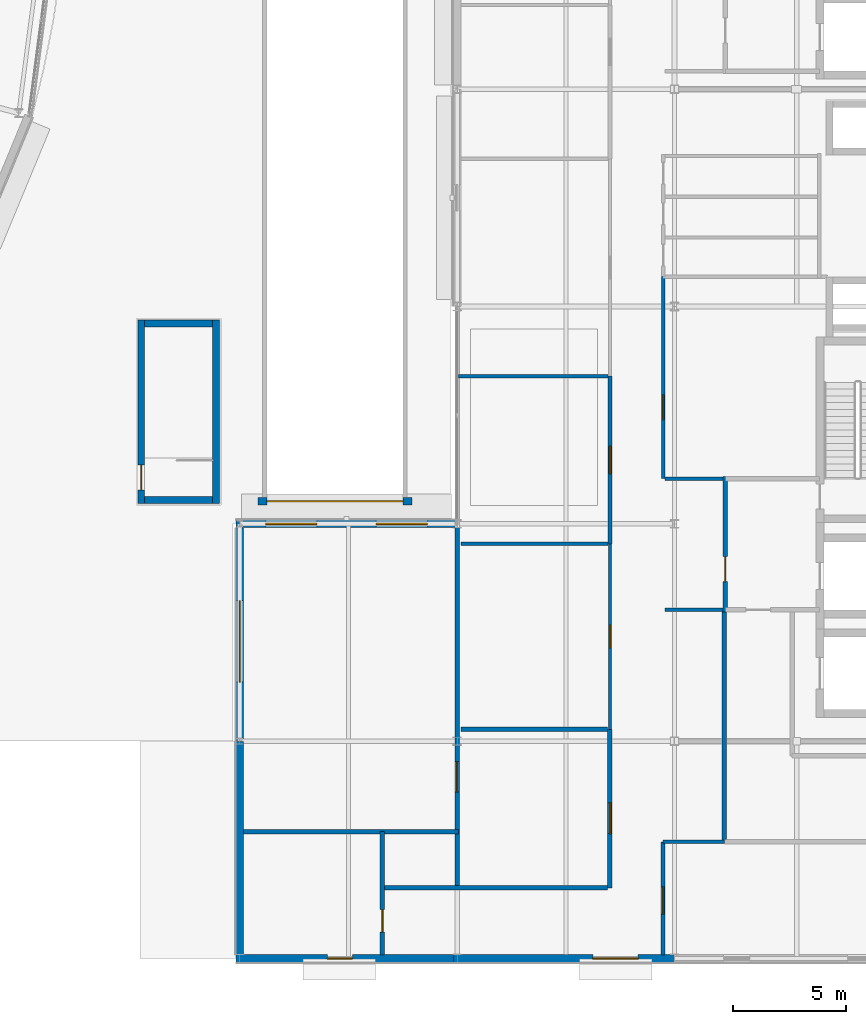
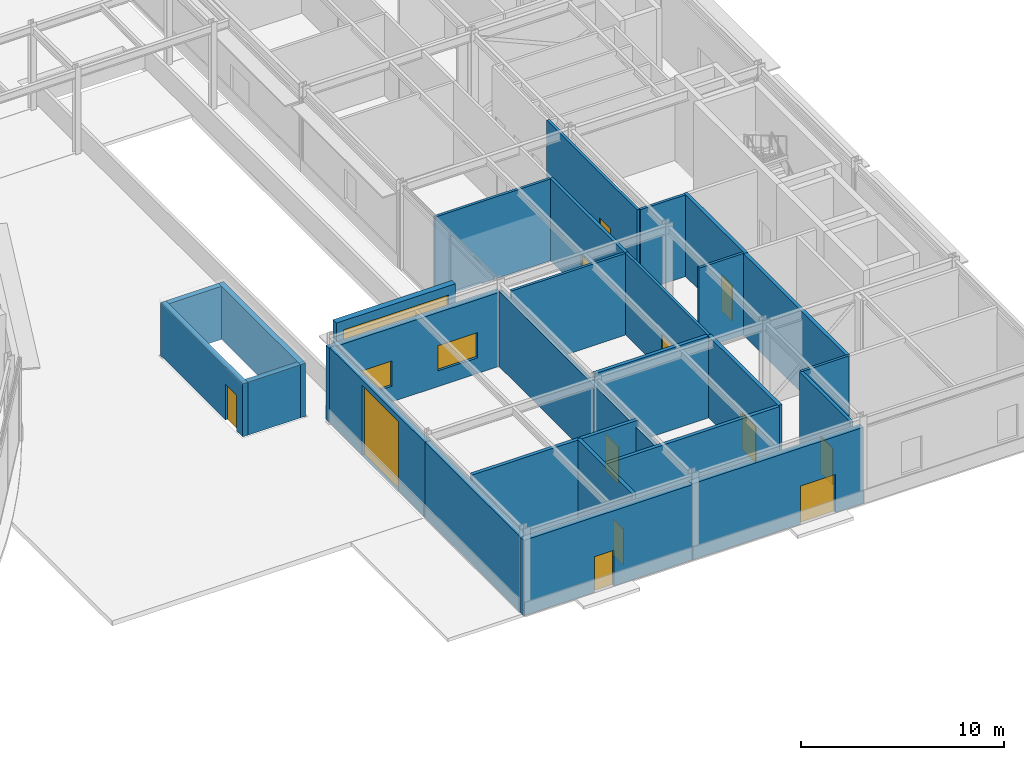
# One storey, part 127 of 168: 27 walls, 13 doors, 2 windows, 15 openings.
"""IFC4 building model written with IfcOpenShell, lengths in metres."""

import ifcopenshell
import ifcopenshell.guid

model = None  # the IFC model being written
_history = None  # IfcOwnerHistory: only IFC2X3 demands one
_inside = {}  # id of a spatial element -> (the spatial element, [elements in it])
_under = {}  # id of a project, library or spatial element -> (it, [spatial elements below it])
_declared = {}  # id of a project -> (the project, [libraries it declares])
_typed = {}  # id of a type object -> (the type object, [elements of that type])
_made_of = {}  # id of a material, layer set ... -> (it, [elements and type objects made of it])


def new_model(schema):
    """Start an empty IFC model of exactly this schema.

    Asked for "IFC4X3", IfcOpenShell would pick the latest addendum, in which some entities
    have other attributes; the version numbers below select the first issue.
    IFC2X3 requires an IfcOwnerHistory on every rooted entity: one is made here for all.
    """
    global model, _history
    if schema == "IFC4X3":
        model = ifcopenshell.file(schema_version=(4, 3, 0, 0))
    else:
        model = ifcopenshell.file(schema=schema)
    _inside.clear()
    _under.clear()
    _declared.clear()
    _typed.clear()
    _made_of.clear()
    _history = None
    if model.schema == "IFC2X3":
        org = make("IfcOrganization", Name="unknown")
        user = make(
            "IfcPersonAndOrganization",
            ThePerson=make("IfcPerson", FamilyName="unknown"),
            TheOrganization=org,
        )
        app = make(
            "IfcApplication",
            ApplicationDeveloper=org,
            Version="unknown",
            ApplicationFullName="unknown",
            ApplicationIdentifier="unknown",
        )
        _history = make(
            "IfcOwnerHistory",
            OwningUser=user,
            OwningApplication=app,
            ChangeAction="ADDED",
            CreationDate=0,
        )
    return model


def make(cls, **values):
    """One entity of the class cls with the attributes given. An attribute that is None is left unset."""
    return model.create_entity(
        cls, **{name: value for name, value in values.items() if value is not None}
    )


def rooted(cls, **values):
    """An entity with a GlobalId (a new one), such as an element, a storey or a relation."""
    return make(cls, GlobalId=ifcopenshell.guid.new(), OwnerHistory=_history, **values)


def si_unit(unit_type, name, prefix=None):
    """IfcSIUnit, for example si_unit("LENGTHUNIT", "METRE", prefix="MILLI")."""
    return make("IfcSIUnit", UnitType=unit_type, Prefix=prefix, Name=name)


def assignment(units):
    """IfcUnitAssignment: the units of a project."""
    return None if units is None else make("IfcUnitAssignment", Units=units)


def point(xyz):
    """IfcCartesianPoint."""
    return None if xyz is None else make("IfcCartesianPoint", Coordinates=xyz)


def direction(xyz):
    """IfcDirection."""
    return None if xyz is None else make("IfcDirection", DirectionRatios=xyz)


def frame(location, z_axis=None, x_axis=None):
    """IfcAxis2Placement3D, a coordinate frame: its origin and axes. An axis left out is left unset."""
    return make(
        "IfcAxis2Placement3D",
        Location=point(location),
        Axis=direction(z_axis),
        RefDirection=direction(x_axis),
    )


def frame_2d(location, x_axis=None):
    """IfcAxis2Placement2D, a coordinate frame in the plane: its origin and x axis."""
    return make(
        "IfcAxis2Placement2D", Location=point(location), RefDirection=direction(x_axis)
    )


def origin():
    """The frame at (0, 0, 0) with its axes left unset."""
    return frame((0.0, 0.0, 0.0))


def place(relative_to, where):
    """IfcLocalPlacement: puts the frame where relative to a parent placement (None: the world)."""
    return make(
        "IfcLocalPlacement", PlacementRelTo=relative_to, RelativePlacement=where
    )


def context(
    kind, dimensions, precision=None, world=None, true_north=None, identifier=None
):
    """IfcGeometricRepresentationContext, for example the 3D "Model" context."""
    return make(
        "IfcGeometricRepresentationContext",
        ContextIdentifier=identifier,
        ContextType=kind,
        CoordinateSpaceDimension=dimensions,
        Precision=precision,
        WorldCoordinateSystem=world,
        TrueNorth=true_north,
    )


def subcontext(parent, identifier, kind, view, scale=None):
    """IfcGeometricRepresentationSubContext, for example "Body" below "Model"."""
    return make(
        "IfcGeometricRepresentationSubContext",
        ContextIdentifier=identifier,
        ContextType=kind,
        ParentContext=parent,
        TargetScale=scale,
        TargetView=view,
    )


def project(units=None, contexts=None):
    """IfcProject with its units and contexts."""
    return rooted(
        "IfcProject",
        Name="project",
        RepresentationContexts=contexts,
        UnitsInContext=assignment(units),
    )


def spatial(cls, under=None, at=None, **own):
    """A site, building, storey or space (cls), placed at a placement, below another one or the project."""
    s = rooted(cls, ObjectPlacement=at, **own)
    if under is not None:
        _under.setdefault(under.id(), (under, []))[1].append(s)
    return s


def profile(cls, at=None, kind="AREA", **sizes):
    """A parametric profile (cls). Its sizes go by their IFC names, for example OverallWidth=200.0."""
    return make(cls, ProfileType=kind, Position=at, **sizes)


def rectangle(**sizes):
    """IfcRectangleProfileDef."""
    return profile("IfcRectangleProfileDef", **sizes)


def extrude(swept, where, along, depth):
    """IfcExtrudedAreaSolid: the profile swept, set in the frame where, extruded along a direction by depth."""
    return make(
        "IfcExtrudedAreaSolid",
        SweptArea=swept,
        Position=where,
        ExtrudedDirection=direction(along),
        Depth=depth,
    )


def shape(context_of_items, identifier, shape_type, items):
    """IfcShapeRepresentation: the items that make up one representation, for example the "Body"."""
    return make(
        "IfcShapeRepresentation",
        ContextOfItems=context_of_items,
        RepresentationIdentifier=identifier,
        RepresentationType=shape_type,
        Items=items,
    )


def material(Name=None, Category=None):
    """IfcMaterial."""
    return make("IfcMaterial", Name=Name, Category=Category)


def layer(
    of_material, thickness, ventilated=None, Name=None, Category=None, Priority=None
):
    """IfcMaterialLayer: one layer of a wall or slab, of a material (None: an air gap)."""
    return make(
        "IfcMaterialLayer",
        Material=of_material,
        LayerThickness=thickness,
        IsVentilated=ventilated,
        Name=Name,
        Category=Category,
        Priority=Priority,
    )


def layer_set(layers, Name=None):
    """IfcMaterialLayerSet."""
    return make("IfcMaterialLayerSet", MaterialLayers=layers, LayerSetName=Name)


def made_of(thing, what):
    """Note that an element or type object is made of a material, layer set ...; save() writes the relation."""
    if what is not None:
        _made_of.setdefault(what.id(), (what, []))[1].append(thing)
    return thing


def type_object(cls, material=None, **own):
    """A type object (cls), such as IfcWallType, which elements share."""
    return made_of(rooted(cls, **own), material)


def element(
    cls,
    number,
    at=None,
    inside=None,
    cuts=None,
    type_object=None,
    material=None,
    context=None,
    identifier="Body",
    shape_type=None,
    held_by="IfcProductDefinitionShape",
    body=None,
    shapes=None,
    **own,
):
    """One element of the class cls, such as IfcWall. Its Tag is "e" and its number.

    at: its placement. inside: the storey or other place that contains it. cuts: it is an
    opening in that element (IfcRelVoidsElement). A single representation is given by context,
    identifier, shape_type and body (its items); several are given by shapes. held_by: the class
    of the entity that holds the representations. save() writes the other relations.
    """
    e = rooted(cls, Tag="e%d" % number, ObjectPlacement=at, **own)
    if body is not None:
        shapes = [shape(context, identifier, shape_type, body)]
    if shapes is not None:
        e.Representation = make(held_by, Representations=shapes)
    if inside is not None:
        _inside.setdefault(inside.id(), (inside, []))[1].append(e)
    if cuts is not None:
        rooted(
            "IfcRelVoidsElement", RelatingBuildingElement=cuts, RelatedOpeningElement=e
        )
    if type_object is not None:
        _typed.setdefault(type_object.id(), (type_object, []))[1].append(e)
    return made_of(e, material)


def fill(opening, filler):
    """IfcRelFillsElement: the door or window that sits in an opening."""
    return rooted(
        "IfcRelFillsElement",
        RelatingOpeningElement=opening,
        RelatedBuildingElement=filler,
    )


def aggregate(whole, parts):
    """IfcRelAggregates: a whole, such as a stair, and the parts it consists of."""
    return rooted("IfcRelAggregates", RelatingObject=whole, RelatedObjects=parts)


def save(model, path):
    """Write the relations noted so far, then the file.

    IfcRelAggregates (storeys below a building ...), IfcRelContainedInSpatialStructure (elements
    in a storey), IfcRelDefinesByType, IfcRelAssociatesMaterial and IfcRelDeclares: one each for
    every whole, place, type object, material and project.
    """
    for whole, parts in _under.values():
        aggregate(whole, parts)
    for where, things in _inside.values():
        rooted(
            "IfcRelContainedInSpatialStructure",
            RelatedElements=things,
            RelatingStructure=where,
        )
    for kind, things in _typed.values():
        rooted("IfcRelDefinesByType", RelatedObjects=things, RelatingType=kind)
    for what, things in _made_of.values():
        rooted("IfcRelAssociatesMaterial", RelatedObjects=things, RelatingMaterial=what)
    for by, libraries in _declared.values():
        rooted("IfcRelDeclares", RelatingContext=by, RelatedDefinitions=libraries)
    model.write(path)


model = new_model("IFC4")

# Units and contexts
model_context = context("Model", 3, precision=1e-05, world=origin(), true_north=direction((0.0, 1.0)))
body_context = subcontext(model_context, "Body", "Model", "MODEL_VIEW")
ifc_project = project(units=[si_unit("LENGTHUNIT", "METRE"), si_unit("AREAUNIT", "SQUARE_METRE"), si_unit("VOLUMEUNIT", "CUBIC_METRE"), si_unit("PLANEANGLEUNIT", "RADIAN"), si_unit("MASSUNIT", "GRAM", prefix="KILO")], contexts=[model_context])

# Site, building, storey
site_placement = place(None, origin())
site = spatial("IfcSite", under=ifc_project, at=site_placement, CompositionType="ELEMENT")
building_placement = place(site_placement, origin())
building = spatial("IfcBuilding", under=site, at=building_placement, Name="Almandine Court Research Institute", CompositionType="ELEMENT")
storey_placement = place(building_placement, origin())
storey = spatial("IfcBuildingStorey", under=building, at=storey_placement, Name="L00", CompositionType="ELEMENT", Elevation=0.0)

# Wall
ifc_material_1 = material(Name="Andean Red-Buff Sandstone Plinth Wall", Category="masonry")
ifc_layer_1 = layer(ifc_material_1, 0.340087890625)
ifc_layer_set_1 = layer_set([ifc_layer_1], Name="Andean Red-Buff Sandstone Plinth Wall")
wall_type_1 = type_object("IfcWallType", Name="Wall-EXT-SAND-340", PredefinedType="SOLIDWALL", material=ifc_layer_set_1)
wall_1_placement = place(storey_placement, frame((144.0, 6.174072265625, 0.0), z_axis=(0.0, 0.0, 1.0), x_axis=(0.0, 1.0, 0.0)))
element("IfcWall", 1, at=wall_1_placement, inside=storey, type_object=wall_type_1, Name="L00 Loading Dock and FCC West Wall", PredefinedType="SOLIDWALL", context=body_context, shape_type="SweptSolid", body=[
    extrude(rectangle(XDim=9.421875, YDim=0.340087890625, at=frame_2d((4.7109375, 0.0))), origin(), (0.0, 0.0, 1.0), 4.537109375),
])

# Wall, opening, door
wall_2_placement = place(storey_placement, frame((144.0, 15.60400390625, 0.0), z_axis=(0.0, 0.0, 1.0), x_axis=(0.0, 1.0, 0.0)))
wall_2 = element("IfcWall", 2, at=wall_2_placement, inside=storey, type_object=wall_type_1, Name="L00 Heavy Loading Dock West Wall 2", PredefinedType="SOLIDWALL", context=body_context, shape_type="SweptSolid", body=[
    extrude(rectangle(XDim=9.421875, YDim=0.340087890625, at=frame_2d((4.7109375, 0.0))), origin(), (0.0, 0.0, 1.0), 4.537109375),
])
opening_1_placement = place(wall_2_placement, frame((2.60009765625, 0.0, 0.0)))
opening_1 = element("IfcOpeningElement", 3, at=opening_1_placement, cuts=wall_2, Name="Opening LDK-01", PredefinedType="OPENING", context=body_context, shape_type="SweptSolid", body=[
    extrude(rectangle(XDim=3.60009765625, YDim=4.199951171875, at=frame_2d((1.800048828125, 2.10009765625))), frame((0.0, 0.179931640625, 0.0), z_axis=(0.0, -1.0, 0.0), x_axis=(1.0, 0.0, 0.0)), (0.0, 0.0, 1.0), 0.360107421875),
])
ifc_material_2 = material(Name="Insulated Steel Loading Dock Overhead Shutter", Category="steel")
door_type_1 = type_object("IfcDoorType", Name="Door-LDK-3600", OperationType="ROLLINGUP", PredefinedType="GATE", material=ifc_material_2)
door_1_placement = place(opening_1_placement, origin())
door_1 = element("IfcDoor", 4, at=door_1_placement, inside=storey, type_object=door_type_1, Name="L00 Heavy Truck Loading Bay Shutter 2", OperationType="ROLLINGUP", OverallHeight=4.199951171875, OverallWidth=3.60009765625, PredefinedType="GATE", context=body_context, shape_type="SweptSolid", body=[
    extrude(rectangle(XDim=3.60009765625, YDim=4.199951171875, at=frame_2d((1.800048828125, 2.10009765625))), frame((0.0, 0.02490234375, 0.0), z_axis=(0.0, -1.0, 0.0), x_axis=(1.0, 0.0, 0.0)), (0.0, 0.0, 1.0), 0.050048828125),
])
fill(opening_1, door_1)

# Wall, openings, windows
wall_3_placement = place(storey_placement, frame((143.830078125, 25.199951171875, 0.0), z_axis=(0.0, 0.0, 1.0), x_axis=(1.0, 0.0, 0.0)))
wall_3 = element("IfcWall", 5, at=wall_3_placement, inside=storey, type_object=wall_type_1, Name="L00 Loading Wing North Wall", PredefinedType="SOLIDWALL", context=body_context, shape_type="SweptSolid", body=[
    extrude(rectangle(XDim=9.765869140625, YDim=0.340087890625, at=frame_2d((4.8828125, 0.0))), origin(), (0.0, 0.0, 1.0), 4.465087890625),
])
opening_2_placement = place(wall_3_placement, frame((1.31103515625, 0.0, 0.949951171875)))
opening_2 = element("IfcOpeningElement", 6, at=opening_2_placement, cuts=wall_3, Name="Opening WN-44", PredefinedType="OPENING", context=body_context, shape_type="SweptSolid", body=[
    extrude(rectangle(XDim=2.260009765625, YDim=1.52001953125, at=frame_2d((1.1298828125, 0.760009765625))), frame((0.0, 0.179931640625, 0.0), z_axis=(0.0, -1.0, 0.0), x_axis=(1.0, 0.0, 0.0)), (0.0, 0.0, 1.0), 0.360107421875),
])
opening_3_placement = place(wall_3_placement, frame((6.194091796875, 0.0, 0.949951171875)))
opening_3 = element("IfcOpeningElement", 7, at=opening_3_placement, cuts=wall_3, Name="Opening WN-44", PredefinedType="OPENING", context=body_context, shape_type="SweptSolid", body=[
    extrude(rectangle(XDim=2.260009765625, YDim=1.52001953125, at=frame_2d((1.1298828125, 0.760009765625))), frame((0.0, 0.179931640625, 0.0), z_axis=(0.0, -1.0, 0.0), x_axis=(1.0, 0.0, 0.0)), (0.0, 0.0, 1.0), 0.360107421875),
])
ifc_material_3 = material(Name="Thermally Broken Low-E Double-Glazed Window", Category="glass")
window_type = type_object("IfcWindowType", Name="Win-WN-44-2260x1520", PartitioningType="SINGLE_PANEL", PredefinedType="WINDOW", material=ifc_material_3)
window_1_placement = place(opening_2_placement, origin())
window_1 = element("IfcWindow", 8, at=window_1_placement, inside=storey, type_object=window_type, Name="L00 Modular Recessed Low-E Window 67", OverallHeight=1.52001953125, OverallWidth=2.260009765625, PartitioningType="SINGLE_PANEL", PredefinedType="WINDOW", context=body_context, shape_type="SweptSolid", body=[
    extrude(rectangle(XDim=2.260009765625, YDim=1.52001953125, at=frame_2d((1.1298828125, 0.760009765625))), frame((0.0, 0.030029296875, 0.0), z_axis=(0.0, -1.0, 0.0), x_axis=(1.0, 0.0, 0.0)), (0.0, 0.0, 1.0), 0.06005859375),
])
fill(opening_2, window_1)
window_2_placement = place(opening_3_placement, origin())
window_2 = element("IfcWindow", 9, at=window_2_placement, inside=storey, type_object=window_type, Name="L00 Modular Recessed Low-E Window 68", OverallHeight=1.52001953125, OverallWidth=2.260009765625, PartitioningType="SINGLE_PANEL", PredefinedType="WINDOW", context=body_context, shape_type="SweptSolid", body=[
    extrude(rectangle(XDim=2.260009765625, YDim=1.52001953125, at=frame_2d((1.1298828125, 0.760009765625))), frame((0.0, 0.030029296875, 0.0), z_axis=(0.0, -1.0, 0.0), x_axis=(1.0, 0.0, 0.0)), (0.0, 0.0, 1.0), 0.06005859375),
])
fill(opening_3, window_2)

# Wall, opening, door
wall_4_placement = place(storey_placement, frame((153.77001953125, 6.0, 0.0), z_axis=(0.0, 0.0, 1.0), x_axis=(-1.0, 0.0, 0.0)))
wall_4 = element("IfcWall", 10, at=wall_4_placement, inside=storey, type_object=wall_type_1, Name="L00 Fire Command Centre South Boulevard Wall", PredefinedType="SOLIDWALL", context=body_context, shape_type="SweptSolid", body=[
    extrude(rectangle(XDim=9.93994140625, YDim=0.340087890625, at=frame_2d((4.969970703125, 0.0))), origin(), (0.0, 0.0, 1.0), 4.537109375),
])
opening_4_placement = place(wall_4_placement, frame((4.800048828125, 0.0, 0.0)))
opening_4 = element("IfcOpeningElement", 11, at=opening_4_placement, cuts=wall_4, Name="Opening EX-04", PredefinedType="OPENING", context=body_context, shape_type="SweptSolid", body=[
    extrude(rectangle(XDim=1.10009765625, YDim=2.14990234375, at=frame_2d((0.550048828125, 1.074951171875))), frame((0.0, 0.179931640625, 0.0), z_axis=(0.0, -1.0, 0.0), x_axis=(1.0, 0.0, 0.0)), (0.0, 0.0, 1.0), 0.360107421875),
])
ifc_material_4 = material(Name="Painted Steel Exterior Personnel Exit Door", Category="steel")
door_type_2 = type_object("IfcDoorType", Name="Door-EX-1100", OperationType="NOTDEFINED", PredefinedType="DOOR", material=ifc_material_4)
door_2_placement = place(opening_4_placement, origin())
door_2 = element("IfcDoor", 12, at=door_2_placement, inside=storey, type_object=door_type_2, Name="L00 Fire Command Centre Exterior Access Door", OperationType="SINGLE_SWING_LEFT", OverallHeight=2.14990234375, OverallWidth=1.10009765625, PredefinedType="DOOR", context=body_context, shape_type="SweptSolid", body=[
    extrude(rectangle(XDim=1.10009765625, YDim=2.14990234375, at=frame_2d((0.550048828125, 1.074951171875))), frame((0.0, 0.02490234375, 0.0), z_axis=(0.0, -1.0, 0.0), x_axis=(1.0, 0.0, 0.0)), (0.0, 0.0, 1.0), 0.050048828125),
])
fill(opening_4, door_2)

wall_5_placement = place(storey_placement, frame((163.196044921875, 6.0, 0.0), z_axis=(0.0, 0.0, 1.0), x_axis=(-1.0, 0.0, 0.0)))
wall_5 = element("IfcWall", 13, at=wall_5_placement, inside=storey, type_object=wall_type_1, Name="L00 Wet Lab South Wall 2", PredefinedType="SOLIDWALL", context=body_context, shape_type="SweptSolid", body=[
    extrude(rectangle(XDim=9.76611328125, YDim=0.340087890625, at=frame_2d((4.883056640625, 0.0))), origin(), (0.0, 0.0, 1.0), 4.583984375),
])
opening_5_placement = place(wall_5_placement, frame((1.60009765625, 0.0, 0.0)))
opening_5 = element("IfcOpeningElement", 14, at=opening_5_placement, cuts=wall_5, Name="Opening EX-01", PredefinedType="OPENING", context=body_context, shape_type="SweptSolid", body=[
    extrude(rectangle(XDim=2.0, YDim=2.300048828125, at=frame_2d((1.0, 1.14990234375))), frame((0.0, 0.179931640625, 0.0), z_axis=(0.0, -1.0, 0.0), x_axis=(1.0, 0.0, 0.0)), (0.0, 0.0, 1.0), 0.360107421875),
])
ifc_material_5 = material(Name="Anodised Aluminium Glazed Exit Door", Category="aluminium")
door_type_3 = type_object("IfcDoorType", Name="Door-EX-2000", OperationType="DOUBLE_DOOR_SINGLE_SWING", PredefinedType="DOOR", material=ifc_material_5)
door_3_placement = place(opening_5_placement, origin())
door_3 = element("IfcDoor", 15, at=door_3_placement, inside=storey, type_object=door_type_3, Name="L00 Wet Lab South Boulevard Main Exit Door", OperationType="DOUBLE_DOOR_SINGLE_SWING", OverallHeight=2.300048828125, OverallWidth=2.0, PredefinedType="DOOR", context=body_context, shape_type="SweptSolid", body=[
    extrude(rectangle(XDim=2.0, YDim=2.300048828125, at=frame_2d((1.0, 1.14990234375))), frame((0.0, 0.02490234375, 0.0), z_axis=(0.0, -1.0, 0.0), x_axis=(1.0, 0.0, 0.0)), (0.0, 0.0, 1.0), 0.050048828125),
])
fill(opening_5, door_3)

wall_6_placement = place(storey_placement, frame((151.60009765625, 26.199951171875, 0.0), z_axis=(0.0, 0.0, 1.0), x_axis=(-1.0, 0.0, 0.0)))
wall_6 = element("IfcWall", 16, at=wall_6_placement, inside=storey, type_object=wall_type_1, Name="L00 Basement Car Park Ramp Portal Wall", PredefinedType="SOLIDWALL", context=body_context, shape_type="SweptSolid", body=[
    extrude(rectangle(XDim=6.800048828125, YDim=0.340087890625, at=frame_2d((3.39990234375, 0.0))), origin(), (0.0, 0.0, 1.0), 5.050048828125),
])
opening_6_placement = place(wall_6_placement, frame((0.39990234375, 0.0, 0.0)))
opening_6 = element("IfcOpeningElement", 17, at=opening_6_placement, cuts=wall_6, Name="Opening VG-01", PredefinedType="OPENING", context=body_context, shape_type="SweptSolid", body=[
    extrude(rectangle(XDim=6.0, YDim=4.5, at=frame_2d((3.0, 2.25))), frame((0.0, 0.179931640625, 0.0), z_axis=(0.0, -1.0, 0.0), x_axis=(1.0, 0.0, 0.0)), (0.0, 0.0, 1.0), 0.360107421875),
])
ifc_material_6 = material(Name="Perforated Galvanised Steel Vehicle Roller Shutter", Category="steel")
door_type_4 = type_object("IfcDoorType", Name="Door-VG-6000", OperationType="ROLLINGUP", PredefinedType="GATE", material=ifc_material_6)
door_4_placement = place(opening_6_placement, origin())
door_4 = element("IfcDoor", 18, at=door_4_placement, inside=storey, type_object=door_type_4, Name="L00 Car Park Vehicle Roller Shutter Gate VG-01", OperationType="ROLLINGUP", OverallHeight=4.5, OverallWidth=6.0, PredefinedType="GATE", context=body_context, shape_type="SweptSolid", body=[
    extrude(rectangle(XDim=6.0, YDim=4.5, at=frame_2d((3.0, 2.25))), frame((0.0, 0.02490234375, 0.0), z_axis=(0.0, -1.0, 0.0), x_axis=(1.0, 0.0, 0.0)), (0.0, 0.0, 1.0), 0.050048828125),
])
fill(opening_6, door_4)

ifc_material_7 = material(Name="One-Hour Fire-Rated Laboratory Partition")
ifc_layer_2 = layer(ifc_material_7, 0.175048828125)
ifc_layer_set_2 = layer_set([ifc_layer_2], Name="One-Hour Fire-Rated Laboratory Partition")
wall_type_2 = type_object("IfcWallType", Name="Wall-FIRE-175", PredefinedType="PARTITIONING", material=ifc_layer_set_2)
wall_7_placement = place(storey_placement, frame((160.35009765625, 24.320068359375, 0.0), z_axis=(0.0, 0.0, 1.0), x_axis=(0.0, 1.0, 0.0)))
wall_7 = element("IfcWall", 19, at=wall_7_placement, inside=storey, type_object=wall_type_2, Name="L00 Interior Partition W-V4-L00-WW-1", PredefinedType="PARTITIONING", context=body_context, shape_type="SweptSolid", body=[
    extrude(rectangle(XDim=7.39990234375, YDim=0.175048828125, at=frame_2d((3.699951171875, 0.0))), origin(), (0.0, 0.0, 1.0), 4.929931640625),
])
opening_7_placement = place(wall_7_placement, frame((3.10009765625, 0.0, 0.0)))
opening_7 = element("IfcOpeningElement", 20, at=opening_7_placement, cuts=wall_7, Name="Opening FD-LAB", PredefinedType="OPENING", context=body_context, shape_type="SweptSolid", body=[
    extrude(rectangle(XDim=1.199951171875, YDim=2.199951171875, at=frame_2d((0.60009765625, 1.10009765625))), frame((0.0, 0.097412109375, 0.0), z_axis=(0.0, -1.0, 0.0), x_axis=(1.0, 0.0, 0.0)), (0.0, 0.0, 1.0), 0.195068359375),
])
ifc_material_8 = material(Name="Fire-Rated Laboratory Containment Door")
door_type_5 = type_object("IfcDoorType", Name="Door-FD-LAB-1200", OperationType="NOTDEFINED", PredefinedType="DOOR", material=ifc_material_8)
door_5_placement = place(opening_7_placement, origin())
door_5 = element("IfcDoor", 21, at=door_5_placement, inside=storey, type_object=door_type_5, Name="L00 Wet Chemistry Laboratory Door", OperationType="SINGLE_SWING_LEFT", OverallHeight=2.199951171875, OverallWidth=1.199951171875, PredefinedType="DOOR", context=body_context, shape_type="SweptSolid", body=[
    extrude(rectangle(XDim=1.199951171875, YDim=2.199951171875, at=frame_2d((0.60009765625, 1.10009765625))), frame((0.0, 0.02490234375, 0.0), z_axis=(0.0, -1.0, 0.0), x_axis=(1.0, 0.0, 0.0)), (0.0, 0.0, 1.0), 0.050048828125),
])
fill(opening_7, door_5)

wall_8_placement = place(storey_placement, frame((162.699951171875, 6.159912109375, 0.0), z_axis=(0.0, 0.0, 1.0), x_axis=(0.0, 1.0, 0.0)))
wall_8 = element("IfcWall", 22, at=wall_8_placement, inside=storey, type_object=wall_type_2, Name="L00 Interior Partition W-V4-L00-EW-S", PredefinedType="PARTITIONING", context=body_context, shape_type="SweptSolid", body=[
    extrude(rectangle(XDim=4.989990234375, YDim=0.175048828125, at=frame_2d((2.4951171875, 0.0))), origin(), (0.0, 0.0, 1.0), 4.929931640625),
])
opening_8_placement = place(wall_8_placement, frame((1.800048828125, 0.0, 0.0)))
opening_8 = element("IfcOpeningElement", 23, at=opening_8_placement, cuts=wall_8, Name="Opening FD-LAB", PredefinedType="OPENING", context=body_context, shape_type="SweptSolid", body=[
    extrude(rectangle(XDim=1.199951171875, YDim=2.199951171875, at=frame_2d((0.60009765625, 1.10009765625))), frame((0.0, 0.097412109375, 0.0), z_axis=(0.0, -1.0, 0.0), x_axis=(1.0, 0.0, 0.0)), (0.0, 0.0, 1.0), 0.195068359375),
])
door_6_placement = place(opening_8_placement, origin())
door_6 = element("IfcDoor", 24, at=door_6_placement, inside=storey, type_object=door_type_5, Name="L00 Analytical Lab Door", OperationType="SINGLE_SWING_RIGHT", OverallHeight=2.199951171875, OverallWidth=1.199951171875, PredefinedType="DOOR", context=body_context, shape_type="SweptSolid", body=[
    extrude(rectangle(XDim=1.199951171875, YDim=2.199951171875, at=frame_2d((0.60009765625, 1.10009765625))), frame((0.0, 0.02490234375, 0.0), z_axis=(0.0, -1.0, 0.0), x_axis=(1.0, 0.0, 0.0)), (0.0, 0.0, 1.0), 0.050048828125),
])
fill(opening_8, door_6)

ifc_material_9 = material(Name="Two-Hour Fire-Barrier Enclosure Wall")
ifc_layer_3 = layer(ifc_material_9, 0.199951171875)
ifc_layer_set_3 = layer_set([ifc_layer_3], Name="Two-Hour Fire-Barrier Enclosure Wall")
wall_type_3 = type_object("IfcWallType", Name="Wall-FIRE-200", PredefinedType="SOLIDWALL", material=ifc_layer_set_3)
wall_9_placement = place(storey_placement, frame((165.449951171875, 21.300048828125, 0.0), z_axis=(0.0, 0.0, 1.0), x_axis=(0.0, 1.0, 0.0)))
wall_9 = element("IfcWall", 25, at=wall_9_placement, inside=storey, type_object=wall_type_3, Name="L00 Interior Partition W-FFL1-L00-W", PredefinedType="SOLIDWALL", context=body_context, shape_type="SweptSolid", body=[
    extrude(rectangle(XDim=6.0, YDim=0.199951171875, at=frame_2d((3.0, 0.0))), origin(), (0.0, 0.0, 1.0), 4.929931640625),
])
opening_9_placement = place(wall_9_placement, frame((1.35009765625, 0.0, 0.0)))
opening_9 = element("IfcOpeningElement", 26, at=opening_9_placement, cuts=wall_9, Name="Opening FD-FFL", PredefinedType="OPENING", context=body_context, shape_type="SweptSolid", body=[
    extrude(rectangle(XDim=1.10009765625, YDim=2.14990234375, at=frame_2d((0.550048828125, 1.074951171875))), frame((0.0, 0.10986328125, 0.0), z_axis=(0.0, -1.0, 0.0), x_axis=(1.0, 0.0, 0.0)), (0.0, 0.0, 1.0), 0.219970703125),
])
ifc_material_10 = material(Name="Smoke-Tight Firefighting Lobby Fire Door")
door_type_6 = type_object("IfcDoorType", Name="Door-FD-FFL-1100", OperationType="NOTDEFINED", PredefinedType="DOOR", material=ifc_material_10)
door_7_placement = place(opening_9_placement, origin())
door_7 = element("IfcDoor", 27, at=door_7_placement, inside=storey, type_object=door_type_6, Name="L00 Firefighting Lobby Fire Door 1", OperationType="SINGLE_SWING_LEFT", OverallHeight=2.14990234375, OverallWidth=1.10009765625, PredefinedType="DOOR", context=body_context, shape_type="SweptSolid", body=[
    extrude(rectangle(XDim=1.10009765625, YDim=2.14990234375, at=frame_2d((0.550048828125, 1.074951171875))), frame((0.0, 0.02490234375, 0.0), z_axis=(0.0, -1.0, 0.0), x_axis=(1.0, 0.0, 0.0)), (0.0, 0.0, 1.0), 0.050048828125),
])
fill(opening_9, door_7)

# Wall
wall_10_placement = place(storey_placement, frame((165.39990234375, 11.14990234375, 0.0), z_axis=(0.0, 0.0, 1.0), x_axis=(0.0, 1.0, 0.0)))
element("IfcWall", 28, at=wall_10_placement, inside=storey, type_object=wall_type_3, Name="L00 Interior Partition W-EP-ST07-W", PredefinedType="SOLIDWALL", context=body_context, shape_type="SweptSolid", body=[
    extrude(rectangle(XDim=10.2001953125, YDim=0.199951171875, at=frame_2d((5.10009765625, 0.0))), origin(), (0.0, 0.0, 1.0), 4.929931640625),
])

# Wall, opening, door
wall_11_placement = place(storey_placement, frame((150.300048828125, 6.159912109375, 0.0), z_axis=(0.0, 0.0, 1.0), x_axis=(0.0, 1.0, 0.0)))
wall_11 = element("IfcWall", 29, at=wall_11_placement, inside=storey, type_object=wall_type_3, Name="L00 Interior Partition W-L00-FCC-E", PredefinedType="SOLIDWALL", context=body_context, shape_type="SweptSolid", body=[
    extrude(rectangle(XDim=5.440185546875, YDim=0.199951171875, at=frame_2d((2.72021484375, 0.0))), origin(), (0.0, 0.0, 1.0), 4.929931640625),
])
opening_10_placement = place(wall_11_placement, frame((1.0, 0.0, 0.0)))
opening_10 = element("IfcOpeningElement", 30, at=opening_10_placement, cuts=wall_11, Name="Opening FD-FCC", PredefinedType="OPENING", context=body_context, shape_type="SweptSolid", body=[
    extrude(rectangle(XDim=1.0, YDim=2.14990234375, at=frame_2d((0.5, 1.074951171875))), frame((0.0, 0.10986328125, 0.0), z_axis=(0.0, -1.0, 0.0), x_axis=(1.0, 0.0, 0.0)), (0.0, 0.0, 1.0), 0.219970703125),
])
ifc_material_11 = material(Name="Fire Command Centre Rated Steel Door", Category="steel")
door_type_7 = type_object("IfcDoorType", Name="Door-FD-FFL-1000", OperationType="NOTDEFINED", PredefinedType="DOOR", material=ifc_material_11)
door_8_placement = place(opening_10_placement, origin())
door_8 = element("IfcDoor", 31, at=door_8_placement, inside=storey, type_object=door_type_7, Name="L00 Fire Command Centre Interior Door", OperationType="SINGLE_SWING_LEFT", OverallHeight=2.14990234375, OverallWidth=1.0, PredefinedType="DOOR", context=body_context, shape_type="SweptSolid", body=[
    extrude(rectangle(XDim=1.0, YDim=2.14990234375, at=frame_2d((0.5, 1.074951171875))), frame((0.0, 0.02490234375, 0.0), z_axis=(0.0, -1.0, 0.0), x_axis=(1.0, 0.0, 0.0)), (0.0, 0.0, 1.0), 0.050048828125),
])
fill(opening_10, door_8)

# Wall
wall_12_placement = place(storey_placement, frame((144.159912109375, 11.60009765625, 0.0), z_axis=(0.0, 0.0, 1.0), x_axis=(1.0, 0.0, 0.0)))
element("IfcWall", 32, at=wall_12_placement, inside=storey, type_object=wall_type_3, Name="L00 Interior Partition W-L00-FCC-N", PredefinedType="SOLIDWALL", context=body_context, shape_type="SweptSolid", body=[
    extrude(rectangle(XDim=9.489990234375, YDim=0.199951171875, at=frame_2d((4.7451171875, 0.0))), origin(), (0.0, 0.0, 1.0), 4.929931640625),
])

# Wall, opening, door
wall_13_placement = place(storey_placement, frame((153.60009765625, 9.14990234375, 0.0), z_axis=(0.0, 0.0, 1.0), x_axis=(0.0, 1.0, 0.0)))
wall_13 = element("IfcWall", 33, at=wall_13_placement, inside=storey, type_object=wall_type_3, Name="L00 Interior Partition W-L00-DOCK-E", PredefinedType="SOLIDWALL", context=body_context, shape_type="SweptSolid", body=[
    extrude(rectangle(XDim=15.89013671875, YDim=0.199951171875, at=frame_2d((7.945068359375, 0.0))), origin(), (0.0, 0.0, 1.0), 4.551025390625),
])
opening_11_placement = place(wall_13_placement, frame((4.199951171875, 0.0, 0.0)))
opening_11 = element("IfcOpeningElement", 34, at=opening_11_placement, cuts=wall_13, Name="Opening FD-LB2", PredefinedType="OPENING", context=body_context, shape_type="SweptSolid", body=[
    extrude(rectangle(XDim=1.35009765625, YDim=2.199951171875, at=frame_2d((0.675048828125, 1.10009765625))), frame((0.0, 0.10986328125, 0.0), z_axis=(0.0, -1.0, 0.0), x_axis=(1.0, 0.0, 0.0)), (0.0, 0.0, 1.0), 0.219970703125),
])
ifc_material_12 = material(Name="Wide Fire-Rated Cleanroom and Lab Door")
door_type_8 = type_object("IfcDoorType", Name="Door-FD-LAB-1350", OperationType="NOTDEFINED", PredefinedType="DOOR", material=ifc_material_12)
door_9_placement = place(opening_11_placement, origin())
door_9 = element("IfcDoor", 35, at=door_9_placement, inside=storey, type_object=door_type_8, Name="L00 Loading Dock Corridor Fire Door", OperationType="SINGLE_SWING_RIGHT", OverallHeight=2.199951171875, OverallWidth=1.35009765625, PredefinedType="DOOR", context=body_context, shape_type="SweptSolid", body=[
    extrude(rectangle(XDim=1.35009765625, YDim=2.199951171875, at=frame_2d((0.675048828125, 1.10009765625))), frame((0.0, 0.02490234375, 0.0), z_axis=(0.0, -1.0, 0.0), x_axis=(1.0, 0.0, 0.0)), (0.0, 0.0, 1.0), 0.050048828125),
])
fill(opening_11, door_9)

# Walls
wall_14_placement = place(storey_placement, frame((150.39990234375, 9.1201171875, 0.0), z_axis=(0.0, 0.0, 1.0), x_axis=(1.0, 0.0, 0.0)))
element("IfcWall", 36, at=wall_14_placement, inside=storey, type_object=wall_type_3, Name="L00 Interior Partition W-L00-HAZ-S", PredefinedType="SOLIDWALL", context=body_context, shape_type="SweptSolid", body=[
    extrude(rectangle(XDim=9.85009765625, YDim=0.199951171875, at=frame_2d((4.925048828125, 0.0))), origin(), (0.0, 0.0, 1.0), 4.929931640625),
])
wall_15_placement = place(storey_placement, frame((153.760009765625, 16.1201171875, 0.0), z_axis=(0.0, 0.0, 1.0), x_axis=(1.0, 0.0, 0.0)))
element("IfcWall", 37, at=wall_15_placement, inside=storey, type_object=wall_type_3, Name="L00 Interior Partition W-L00-HAZ-N", PredefinedType="SOLIDWALL", context=body_context, shape_type="SweptSolid", body=[
    extrude(rectangle(XDim=6.489990234375, YDim=0.199951171875, at=frame_2d((3.2451171875, 0.0))), origin(), (0.0, 0.0, 1.0), 4.929931640625),
])

# Wall, opening, door
wall_16_placement = place(storey_placement, frame((160.35009765625, 9.1201171875, 0.0), z_axis=(0.0, 0.0, 1.0), x_axis=(0.0, 1.0, 0.0)))
wall_16 = element("IfcWall", 38, at=wall_16_placement, inside=storey, type_object=wall_type_3, Name="L00 Interior Partition W-L00-HAZ-E", PredefinedType="SOLIDWALL", context=body_context, shape_type="SweptSolid", body=[
    extrude(rectangle(XDim=7.0, YDim=0.199951171875, at=frame_2d((3.5, 0.0))), origin(), (0.0, 0.0, 1.0), 4.929931640625),
])
opening_12_placement = place(wall_16_placement, frame((2.39990234375, 0.0, 0.0)))
opening_12 = element("IfcOpeningElement", 39, at=opening_12_placement, cuts=wall_16, Name="Opening FD-LB2", PredefinedType="OPENING", context=body_context, shape_type="SweptSolid", body=[
    extrude(rectangle(XDim=1.35009765625, YDim=2.199951171875, at=frame_2d((0.675048828125, 1.10009765625))), frame((0.0, 0.10986328125, 0.0), z_axis=(0.0, -1.0, 0.0), x_axis=(1.0, 0.0, 0.0)), (0.0, 0.0, 1.0), 0.219970703125),
])
door_10_placement = place(opening_12_placement, origin())
door_10 = element("IfcDoor", 40, at=door_10_placement, inside=storey, type_object=door_type_8, Name="L00 Hazardous Chemical Store Fire Door", OperationType="SINGLE_SWING_LEFT", OverallHeight=2.199951171875, OverallWidth=1.35009765625, PredefinedType="DOOR", context=body_context, shape_type="SweptSolid", body=[
    extrude(rectangle(XDim=1.35009765625, YDim=2.199951171875, at=frame_2d((0.675048828125, 1.10009765625))), frame((0.0, 0.02490234375, 0.0), z_axis=(0.0, -1.0, 0.0), x_axis=(1.0, 0.0, 0.0)), (0.0, 0.0, 1.0), 0.050048828125),
])
fill(opening_12, door_10)

ifc_material_13 = material(Name="Acoustic Steel-Stud Gypsum Partition Wall", Category="steel")
ifc_layer_4 = layer(ifc_material_13, 0.14990234375)
ifc_layer_set_4 = layer_set([ifc_layer_4], Name="Acoustic Steel-Stud Gypsum Partition Wall")
wall_type_4 = type_object("IfcWallType", Name="Wall-PART-150", PredefinedType="PARTITIONING", material=ifc_layer_set_4)
wall_17_placement = place(storey_placement, frame((160.35009765625, 16.1201171875, 0.0), z_axis=(0.0, 0.0, 1.0), x_axis=(0.0, 1.0, 0.0)))
wall_17 = element("IfcWall", 41, at=wall_17_placement, inside=storey, type_object=wall_type_4, Name="L00 Interior Partition W-V4-L00-WW-0", PredefinedType="PARTITIONING", context=body_context, shape_type="SweptSolid", body=[
    extrude(rectangle(XDim=8.199951171875, YDim=0.14990234375, at=frame_2d((4.10009765625, 0.0))), origin(), (0.0, 0.0, 1.0), 4.929931640625),
])
opening_13_placement = place(wall_17_placement, frame((3.60009765625, 0.0, 0.0)))
opening_13 = element("IfcOpeningElement", 42, at=opening_13_placement, cuts=wall_17, Name="Opening D-02", PredefinedType="OPENING", context=body_context, shape_type="SweptSolid", body=[
    extrude(rectangle(XDim=1.0, YDim=2.199951171875, at=frame_2d((0.5, 1.10009765625))), frame((0.0, 0.0849609375, 0.0), z_axis=(0.0, -1.0, 0.0), x_axis=(1.0, 0.0, 0.0)), (0.0, 0.0, 1.0), 0.169921875),
])
ifc_material_14 = material(Name="Solid-Core Timber Researcher Office Door", Category="wood")
door_type_9 = type_object("IfcDoorType", Name="Door-INT-1000", OperationType="NOTDEFINED", PredefinedType="DOOR", material=ifc_material_14)
door_11_placement = place(opening_13_placement, origin())
door_11 = element("IfcDoor", 43, at=door_11_placement, inside=storey, type_object=door_type_9, Name="L00 Write-up Office Door", OperationType="SINGLE_SWING_RIGHT", OverallHeight=2.199951171875, OverallWidth=1.0, PredefinedType="DOOR", context=body_context, shape_type="SweptSolid", body=[
    extrude(rectangle(XDim=1.0, YDim=2.199951171875, at=frame_2d((0.5, 1.10009765625))), frame((0.0, 0.02490234375, 0.0), z_axis=(0.0, -1.0, 0.0), x_axis=(1.0, 0.0, 0.0)), (0.0, 0.0, 1.0), 0.050048828125),
])
fill(opening_13, door_11)

# Walls
wall_18_placement = place(storey_placement, frame((153.760009765625, 24.320068359375, 0.0), z_axis=(0.0, 0.0, 1.0), x_axis=(1.0, 0.0, 0.0)))
element("IfcWall", 44, at=wall_18_placement, inside=storey, type_object=wall_type_4, Name="L00 Interior Partition W-V4-L00-WDIV-0", PredefinedType="PARTITIONING", context=body_context, shape_type="SweptSolid", body=[
    extrude(rectangle(XDim=6.510009765625, YDim=0.14990234375, at=frame_2d((3.2548828125, 0.0))), origin(), (0.0, 0.0, 1.0), 4.929931640625),
])
wall_19_placement = place(storey_placement, frame((153.659912109375, 31.719970703125, 0.0), z_axis=(0.0, 0.0, 1.0), x_axis=(1.0, 0.0, 0.0)))
element("IfcWall", 45, at=wall_19_placement, inside=storey, type_object=wall_type_4, Name="L00 Interior Partition W-V4-L00-WDIV-1", PredefinedType="PARTITIONING", context=body_context, shape_type="SweptSolid", body=[
    extrude(rectangle(XDim=6.610107421875, YDim=0.14990234375, at=frame_2d((3.30517578125, 0.0))), origin(), (0.0, 0.0, 1.0), 4.929931640625),
])
wall_20_placement = place(storey_placement, frame((162.780029296875, 27.199951171875, 0.0), z_axis=(0.0, 0.0, 1.0), x_axis=(1.0, 0.0, 0.0)))
element("IfcWall", 46, at=wall_20_placement, inside=storey, type_object=wall_type_4, Name="L00 Interior Partition W-V4-L00-SPEC-S", PredefinedType="PARTITIONING", context=body_context, shape_type="SweptSolid", body=[
    extrude(rectangle(XDim=2.570068359375, YDim=0.14990234375, at=frame_2d((1.28515625, 0.0))), origin(), (0.0, 0.0, 1.0), 4.929931640625),
])

# Wall, opening, door
wall_21_placement = place(storey_placement, frame((162.699951171875, 27.199951171875, 0.0), z_axis=(0.0, 0.0, 1.0), x_axis=(0.0, 1.0, 0.0)))
wall_21 = element("IfcWall", 47, at=wall_21_placement, inside=storey, type_object=wall_type_4, Name="L00 Interior Partition W-V4-L00-EW-M", PredefinedType="PARTITIONING", context=body_context, shape_type="SweptSolid", body=[
    extrude(rectangle(XDim=8.920166015625, YDim=0.14990234375, at=frame_2d((4.4599609375, 0.0))), origin(), (0.0, 0.0, 1.0), 4.929931640625),
])
opening_14_placement = place(wall_21_placement, frame((2.60009765625, 0.0, 0.0)))
opening_14 = element("IfcOpeningElement", 48, at=opening_14_placement, cuts=wall_21, Name="Opening D-03", PredefinedType="OPENING", context=body_context, shape_type="SweptSolid", body=[
    extrude(rectangle(XDim=1.10009765625, YDim=2.199951171875, at=frame_2d((0.550048828125, 1.10009765625))), frame((0.0, 0.0849609375, 0.0), z_axis=(0.0, -1.0, 0.0), x_axis=(1.0, 0.0, 0.0)), (0.0, 0.0, 1.0), 0.169921875),
])
ifc_material_15 = material(Name="Acoustic Vision-Panel Seminar Door")
door_type_10 = type_object("IfcDoorType", Name="Door-INT-1100", OperationType="NOTDEFINED", PredefinedType="DOOR", material=ifc_material_15)
door_12_placement = place(opening_14_placement, origin())
door_12 = element("IfcDoor", 49, at=door_12_placement, inside=storey, type_object=door_type_10, Name="L00 Spectroscopy Suite Door", OperationType="SINGLE_SWING_LEFT", OverallHeight=2.199951171875, OverallWidth=1.10009765625, PredefinedType="DOOR", context=body_context, shape_type="SweptSolid", body=[
    extrude(rectangle(XDim=1.10009765625, YDim=2.199951171875, at=frame_2d((0.550048828125, 1.10009765625))), frame((0.0, 0.02490234375, 0.0), z_axis=(0.0, -1.0, 0.0), x_axis=(1.0, 0.0, 0.0)), (0.0, 0.0, 1.0), 0.050048828125),
])
fill(opening_14, door_12)

# Walls
wall_22_placement = place(storey_placement, frame((162.699951171875, 11.14990234375, 0.0), z_axis=(0.0, 0.0, 1.0), x_axis=(1.0, 0.0, 0.0)))
element("IfcWall", 50, at=wall_22_placement, inside=storey, type_object=wall_type_4, Name="L00 Interior Partition W-V4-L00-ANAL-N", PredefinedType="PARTITIONING", context=body_context, shape_type="SweptSolid", body=[
    extrude(rectangle(XDim=2.699951171875, YDim=0.14990234375, at=frame_2d((1.35009765625, 0.0))), origin(), (0.0, 0.0, 1.0), 4.929931640625),
])
wall_23_placement = place(storey_placement, frame((162.780029296875, 21.39990234375, 0.0), z_axis=(0.0, 0.0, 1.0), x_axis=(1.0, 0.0, 0.0)))
element("IfcWall", 51, at=wall_23_placement, inside=storey, type_object=wall_type_4, Name="L00 Interior Partition W-V4-L00-FFL1-CS", PredefinedType="PARTITIONING", context=body_context, shape_type="SweptSolid", body=[
    extrude(rectangle(XDim=2.570068359375, YDim=0.14990234375, at=frame_2d((1.28515625, 0.0))), origin(), (0.0, 0.0, 1.0), 4.929931640625),
])

# Wall, opening, door
ifc_material_16 = material(Name="Concrete C40/50", Category="concrete")
ifc_layer_5 = layer(ifc_material_16, 0.300048828125)
ifc_layer_set_5 = layer_set([ifc_layer_5], Name="Concrete C40/50")
wall_type_5 = type_object("IfcWallType", Name="Wall-SW-CORE-300-E", PredefinedType="SHEAR", material=ifc_layer_set_5)
wall_24_placement = place(storey_placement, frame((139.64990234375, 26.10009765625, 0.0), z_axis=(0.0, 0.0, 1.0), x_axis=(0.0, 1.0, 0.0)))
wall_24 = element("IfcWall", 52, at=wall_24_placement, inside=storey, type_object=wall_type_5, Name="L00 ST-11 Penthouse W Shear Wall", PredefinedType="SHEAR", context=body_context, shape_type="SweptSolid", body=[
    extrude(rectangle(XDim=8.099853515625, YDim=0.300048828125, at=frame_2d((4.0498046875, 0.0))), origin(), (0.0, 0.0, 1.0), 3.199951171875),
])
opening_15_placement = place(wall_24_placement, frame((0.60009765625, 0.0, 0.0)))
opening_15 = element("IfcOpeningElement", 53, at=opening_15_placement, cuts=wall_24, Name="Opening EX-04", PredefinedType="OPENING", context=body_context, shape_type="SweptSolid", body=[
    extrude(rectangle(XDim=1.10009765625, YDim=2.14990234375, at=frame_2d((0.550048828125, 1.074951171875))), frame((0.0, 0.159912109375, 0.0), z_axis=(0.0, -1.0, 0.0), x_axis=(1.0, 0.0, 0.0)), (0.0, 0.0, 1.0), 0.320068359375),
])
door_13_placement = place(opening_15_placement, origin())
door_13 = element("IfcDoor", 54, at=door_13_placement, inside=storey, type_object=door_type_2, Name="L00 Exit Stair ST-11 Fire Door", OperationType="SINGLE_SWING_LEFT", OverallHeight=2.14990234375, OverallWidth=1.10009765625, PredefinedType="DOOR", context=body_context, shape_type="SweptSolid", body=[
    extrude(rectangle(XDim=1.10009765625, YDim=2.14990234375, at=frame_2d((0.550048828125, 1.074951171875))), frame((0.0, 0.02490234375, 0.0), z_axis=(0.0, -1.0, 0.0), x_axis=(1.0, 0.0, 0.0)), (0.0, 0.0, 1.0), 0.050048828125),
])
fill(opening_15, door_13)

# Walls
wall_25_placement = place(storey_placement, frame((139.800048828125, 34.050048828125, 0.0), z_axis=(0.0, 0.0, 1.0), x_axis=(1.0, 0.0, 0.0)))
element("IfcWall", 55, at=wall_25_placement, inside=storey, type_object=wall_type_5, Name="L00 ST-11 Penthouse N Shear Wall", PredefinedType="SHEAR", context=body_context, shape_type="SweptSolid", body=[
    extrude(rectangle(XDim=3.0, YDim=0.300048828125, at=frame_2d((1.5, 0.0))), origin(), (0.0, 0.0, 1.0), 3.199951171875),
])
wall_26_placement = place(storey_placement, frame((142.949951171875, 34.199951171875, 0.0), z_axis=(0.0, 0.0, 1.0), x_axis=(0.0, -1.0, 0.0)))
element("IfcWall", 56, at=wall_26_placement, inside=storey, type_object=wall_type_5, Name="L00 ST-11 Penthouse E Shear Wall", PredefinedType="SHEAR", context=body_context, shape_type="SweptSolid", body=[
    extrude(rectangle(XDim=8.099853515625, YDim=0.300048828125, at=frame_2d((4.0498046875, 0.0))), origin(), (0.0, 0.0, 1.0), 3.199951171875),
])
wall_27_placement = place(storey_placement, frame((142.800048828125, 26.25, 0.0), z_axis=(0.0, 0.0, 1.0), x_axis=(-1.0, 0.0, 0.0)))
element("IfcWall", 57, at=wall_27_placement, inside=storey, type_object=wall_type_5, Name="L00 ST-11 Penthouse S Shear Wall", PredefinedType="SHEAR", context=body_context, shape_type="SweptSolid", body=[
    extrude(rectangle(XDim=3.0, YDim=0.300048828125, at=frame_2d((1.5, 0.0))), origin(), (0.0, 0.0, 1.0), 3.199951171875),
])

save(model, "model.ifc")
